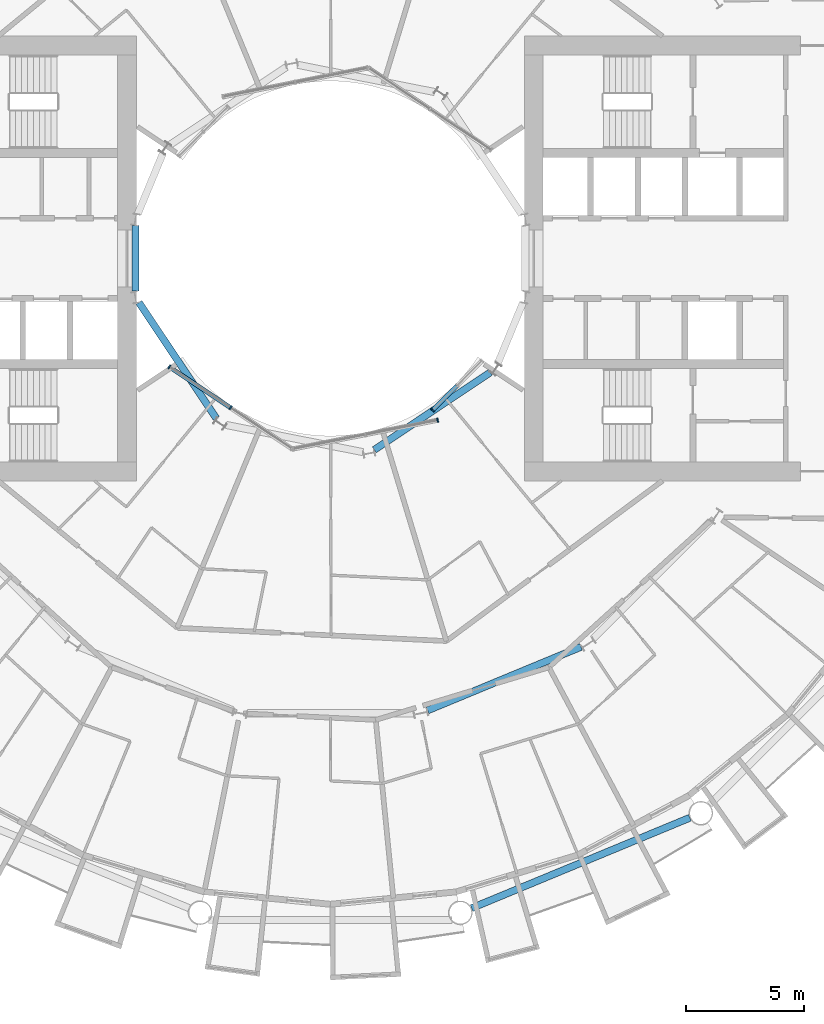
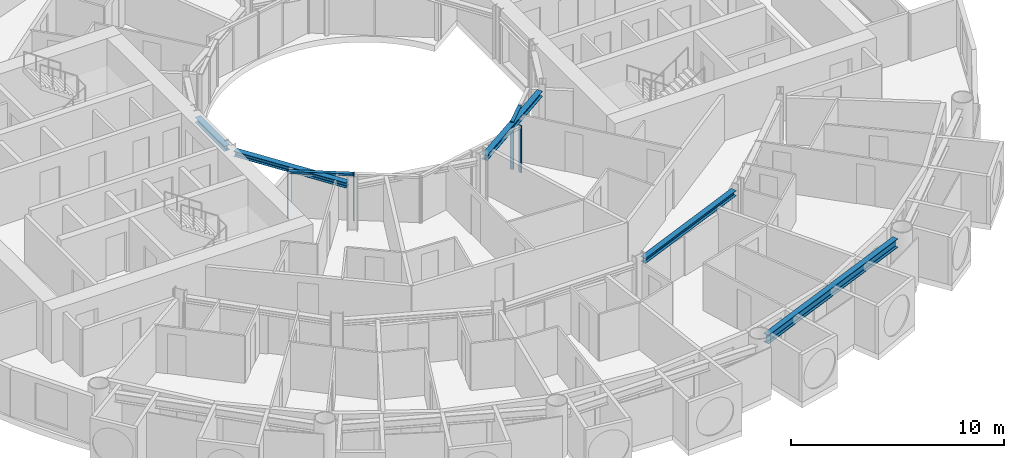
# One storey, part 5 of 25: 6 members, 5 beams, 3 elements without a shape of their own.
"""IFC4 building model written with IfcOpenShell, lengths in metres."""

from ifc_helpers import new_model, si_unit, direction, frame, origin, origin_2d, place, context, subcontext, project, spatial, rectangle, i_section, extrude, material, layer, layer_set, material_profile, profile_set, type_object, element, aggregate, save


model = new_model("IFC4")

# Units and contexts
model_context = context("Model", 3, precision=1e-05, world=origin(), true_north=direction((0.0, 1.0)))
body_context = subcontext(model_context, "Body", "Model", "MODEL_VIEW")
ifc_project = project(units=[si_unit("LENGTHUNIT", "METRE"), si_unit("AREAUNIT", "SQUARE_METRE"), si_unit("VOLUMEUNIT", "CUBIC_METRE"), si_unit("PLANEANGLEUNIT", "RADIAN"), si_unit("MASSUNIT", "GRAM", prefix="KILO")], contexts=[model_context])

# Site, building, storey
site_placement = place(None, origin())
site = spatial("IfcSite", under=ifc_project, at=site_placement, CompositionType="ELEMENT")
building_placement = place(site_placement, origin())
building = spatial("IfcBuilding", under=site, at=building_placement, Name="Maasbend Ring Residences", CompositionType="ELEMENT")
storey_placement = place(building_placement, frame((0.0, 0.0, 41.10009765625)))
storey = spatial("IfcBuildingStorey", under=building, at=storey_placement, Name="L11", CompositionType="ELEMENT", Elevation=41.10009765625)

# Curtain wall, members
ifc_material_1 = material(Name="Aluminium and clear glass", Category="aluminium")
ifc_layer = layer(ifc_material_1, 0.179931640625)
ifc_layer_set = layer_set([ifc_layer], Name="CW-W")
curtain_wall_type = type_object("IfcCurtainWallType", Name="CW-W", PredefinedType="NOTDEFINED", material=ifc_layer_set)
curtain_wall_1_placement = place(storey_placement, origin())
curtain_wall_1 = element("IfcCurtainWall", 1, at=curtain_wall_1_placement, inside=storey, type_object=curtain_wall_type, Name="Well curtain wall S1", PredefinedType="NOTDEFINED")
ifc_material_2 = material(Name="Aluminium 6063-T6", Category="aluminium")
ifc_material_profile_1 = material_profile(ifc_material_2, rectangle(XDim=0.179931640625, YDim=0.06005859375, at=origin_2d()), Name="AL 180x60")
ifc_profile_set_1 = profile_set([ifc_material_profile_1], Name="Aluminium 6063-T6")
member_type_1 = type_object("IfcMemberType", Name="CWM-W", PredefinedType="MULLION", material=ifc_profile_set_1)
member_1_placement = place(storey_placement, frame((-6.805908203125, -4.580810546875, 0.0), z_axis=(0.0, 0.0, 1.0), x_axis=(0.55557023302, 0.831469612303, 0.0)))
member_1 = element("IfcMember", 2, at=member_1_placement, type_object=member_type_1, Name="Mullion well face", PredefinedType="MULLION", context=body_context, shape_type="SweptSolid", body=[
    extrude(rectangle(XDim=0.179931640625, YDim=0.06005859375, at=origin_2d()), origin(), (0.0, 0.0, 1.0), 2.699951171875),
])
member_2_placement = place(storey_placement, frame((-4.216796875, -6.310791015625, 0.0), z_axis=(0.0, 0.0, 1.0), x_axis=(0.55557023302, 0.831469612303, 0.0)))
member_2 = element("IfcMember", 3, at=member_2_placement, type_object=member_type_1, Name="Mullion well face", PredefinedType="MULLION", context=body_context, shape_type="SweptSolid", body=[
    extrude(rectangle(XDim=0.179931640625, YDim=0.06005859375, at=origin_2d()), origin(), (0.0, 0.0, 1.0), 2.699951171875),
])

# Curtain wall, member
curtain_wall_2_placement = place(storey_placement, origin())
curtain_wall_2 = element("IfcCurtainWall", 4, at=curtain_wall_2_placement, inside=storey, type_object=curtain_wall_type, Name="Well curtain wall S2", PredefinedType="NOTDEFINED")
member_3_placement = place(storey_placement, frame((4.53466796875, -6.836669921875, 0.0), z_axis=(0.0, 0.0, 1.0), x_axis=(-0.195090322016, 0.980785280403, 0.0)))
member_3 = element("IfcMember", 5, at=member_3_placement, type_object=member_type_1, Name="Mullion well face", PredefinedType="MULLION", context=body_context, shape_type="SweptSolid", body=[
    extrude(rectangle(XDim=0.179931640625, YDim=0.06005859375, at=origin_2d()), origin(), (0.0, 0.0, 1.0), 2.699951171875),
])
aggregate(curtain_wall_2, [member_3])

curtain_wall_3_placement = place(storey_placement, origin())
curtain_wall_3 = element("IfcCurtainWall", 6, at=curtain_wall_3_placement, inside=storey, type_object=curtain_wall_type, Name="Well curtain wall S3", PredefinedType="NOTDEFINED")
member_4_placement = place(storey_placement, frame((4.320556640625, -6.413330078125, 0.0), z_axis=(0.0, 0.0, 1.0), x_axis=(-0.707106781187, 0.707106781187, 0.0)))
member_4 = element("IfcMember", 7, at=member_4_placement, type_object=member_type_1, Name="Mullion well face", PredefinedType="MULLION", context=body_context, shape_type="SweptSolid", body=[
    extrude(rectangle(XDim=0.179931640625, YDim=0.06005859375, at=origin_2d()), origin(), (0.0, 0.0, 1.0), 2.699951171875),
])

# Member
ifc_material_3 = material(Name="Aluminium 6063-T6", Category="aluminium")
ifc_material_profile_2 = material_profile(ifc_material_3, rectangle(XDim=0.179931640625, YDim=0.1201171875, at=origin_2d()), Name="AL 180x120")
ifc_profile_set_2 = profile_set([ifc_material_profile_2], Name="Aluminium 6063-T6")
member_type_2 = type_object("IfcMemberType", Name="CWT-W", PredefinedType="USERDEFINED", material=ifc_profile_set_2)
member_5_placement = place(storey_placement, frame((-6.781005859375, -4.59765625, 2.639892578125), z_axis=(0.831496422459, -0.555530106689, 0.0), x_axis=(0.555530106689, 0.831496422459, 0.0)))
member_5 = element("IfcMember", 8, at=member_5_placement, type_object=member_type_2, Name="Transom well face", ObjectType="TRANSOM", PredefinedType="USERDEFINED", context=body_context, shape_type="SweptSolid", body=[
    extrude(rectangle(XDim=0.179931640625, YDim=0.1201171875, at=origin_2d()), origin(), (0.0, 0.0, 1.0), 3.053955078125),
])

aggregate(curtain_wall_1, [member_1, member_2, member_5])

member_6_placement = place(storey_placement, frame((4.341796875, -6.39208984375, 2.639892578125), z_axis=(0.707106781187, 0.707106781187, 0.0), x_axis=(-0.707106781187, 0.707106781187, 0.0)))
member_6 = element("IfcMember", 9, at=member_6_placement, type_object=member_type_2, Name="Transom well face", ObjectType="TRANSOM", PredefinedType="USERDEFINED", context=body_context, shape_type="SweptSolid", body=[
    extrude(rectangle(XDim=0.179931640625, YDim=0.1201171875, at=origin_2d()), origin(), (0.0, 0.0, 1.0), 1.419677734375),
])

aggregate(curtain_wall_3, [member_4, member_6])

# Beams
ifc_material_4 = material(Name="Steel S355J2", Category="steel")
ifc_material_profile_3 = material_profile(ifc_material_4, i_section(OverallWidth=0.300048828125, OverallDepth=0.300048828125, WebThickness=0.010986328125, FlangeThickness=0.01904296875, FilletRadius=0.027099609375, at=origin_2d()), Name="HEB 300")
ifc_profile_set_3 = profile_set([ifc_material_profile_3], Name="Steel S355J2")
beam_type_1 = type_object("IfcBeamType", Name="Corridor ring beam HEB 300", PredefinedType="BEAM", material=ifc_profile_set_3)
beam_1_placement = place(storey_placement, frame((4.11572265625, -19.102294921875, 2.5498046875), z_axis=(0.923886196809, 0.38266734293, 0.0), x_axis=(-0.38266734293, 0.923886196809, 0.0)))
element("IfcBeam", 10, at=beam_1_placement, inside=storey, type_object=beam_type_1, Name="Corridor ring beam", PredefinedType="BEAM", context=body_context, shape_type="SweptSolid", body=[
    extrude(i_section(OverallWidth=0.300048828125, OverallDepth=0.300048828125, WebThickness=0.010986328125, FlangeThickness=0.01904296875, FilletRadius=0.027099609375, at=origin_2d()), origin(), (0.0, 0.0, 1.0), 7.015380859375),
])
ifc_material_5 = material(Name="Steel S355J2", Category="steel")
ifc_material_profile_4 = material_profile(ifc_material_5, i_section(OverallWidth=0.300048828125, OverallDepth=0.5, WebThickness=0.014404296875, FlangeThickness=0.028076171875, FilletRadius=0.027099609375, at=origin_2d()), Name="HEB 500")
ifc_profile_set_4 = profile_set([ifc_material_profile_4], Name="Steel S355J2")
beam_type_2 = type_object("IfcBeamType", Name="Spandrel ring beam HEB 500", PredefinedType="SPANDREL", material=ifc_profile_set_4)
beam_2_placement = place(storey_placement, frame((5.970703125, -27.463623046875, 2.449951171875), z_axis=(0.923886337442, 0.382667003395, 0.0), x_axis=(-0.382667003395, 0.923886337442, 0.0)))
element("IfcBeam", 11, at=beam_2_placement, inside=storey, type_object=beam_type_2, Name="Spandrel ring beam", PredefinedType="SPANDREL", context=body_context, shape_type="SweptSolid", body=[
    extrude(i_section(OverallWidth=0.300048828125, OverallDepth=0.5, WebThickness=0.014404296875, FlangeThickness=0.028076171875, FilletRadius=0.027099609375, at=origin_2d()), origin(), (0.0, 0.0, 1.0), 9.9873046875),
])
ifc_material_6 = material(Name="Steel S355J2", Category="steel")
ifc_material_profile_5 = material_profile(ifc_material_6, i_section(OverallWidth=0.300048828125, OverallDepth=0.300048828125, WebThickness=0.010986328125, FlangeThickness=0.01904296875, FilletRadius=0.027099609375, at=origin_2d()), Name="HEB 300")
ifc_profile_set_5 = profile_set([ifc_material_profile_5], Name="Steel S355J2")
beam_type_3 = type_object("IfcBeamType", Name="Well edge beam HEB 300", PredefinedType="BEAM", material=ifc_profile_set_5)
beam_3_placement = place(storey_placement, frame((-8.238525390625, 1.3837890625, 2.5498046875), z_axis=(0.0, -1.0, 0.0), x_axis=(1.0, 0.0, 0.0)))
element("IfcBeam", 12, at=beam_3_placement, inside=storey, type_object=beam_type_3, Name="Well edge beam", PredefinedType="BEAM", context=body_context, shape_type="SweptSolid", body=[
    extrude(i_section(OverallWidth=0.300048828125, OverallDepth=0.300048828125, WebThickness=0.010986328125, FlangeThickness=0.01904296875, FilletRadius=0.027099609375, at=origin_2d()), origin(), (0.0, 0.0, 1.0), 2.767578125),
])
for number, where, z_axis, x_axis, name in (
    (13, (-8.08837890625, -1.86376953125, 2.5498046875), (0.555589782054, -0.831456549723, 0.0), (0.831456549723, 0.555589782054, 0.0), "Well edge beam"),
    (14, (1.86376953125, -8.08837890625, 2.5498046875), (0.831456549723, 0.555589782054, 0.0), (-0.555589782054, 0.831456549723, 0.0), "Well edge beam"),
):
    element("IfcBeam", number, at=place(storey_placement, frame(where, z_axis=z_axis, x_axis=x_axis)), inside=storey, type_object=beam_type_3, Name=name, PredefinedType="BEAM", context=body_context, shape_type="SweptSolid", body=[
        extrude(i_section(OverallWidth=0.300048828125, OverallDepth=0.300048828125, WebThickness=0.010986328125, FlangeThickness=0.01904296875, FilletRadius=0.027099609375, at=origin_2d()), origin(), (0.0, 0.0, 1.0), 5.887939453125),
    ])

save(model, "model.ifc")
